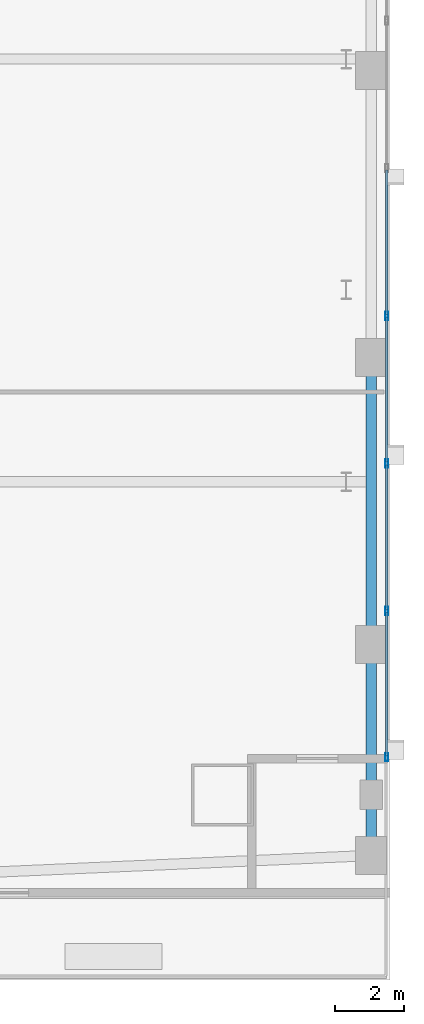
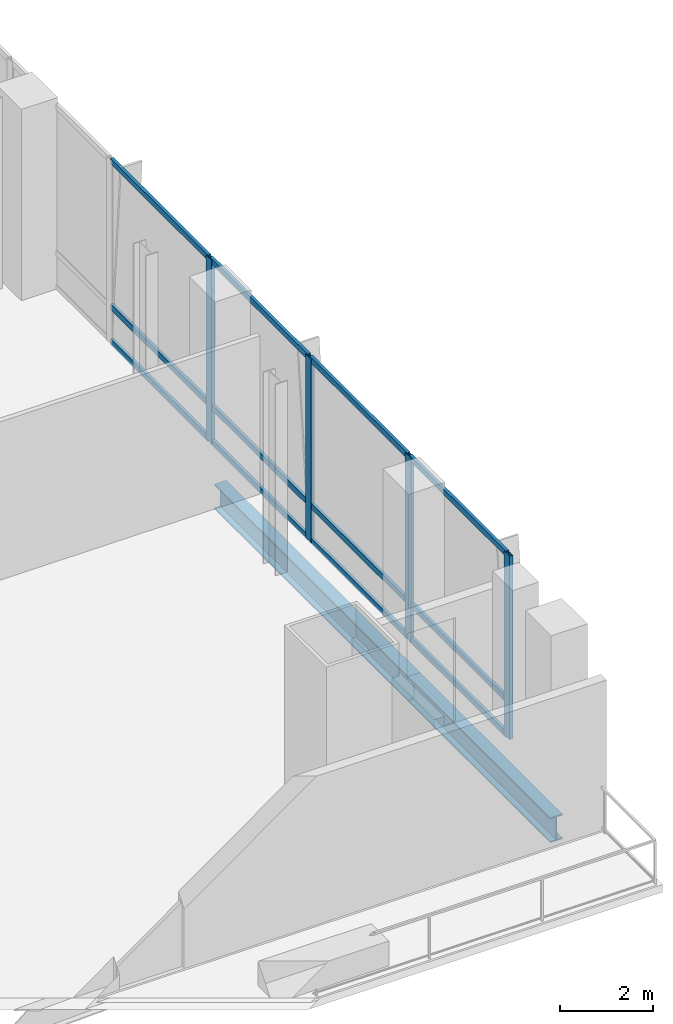
# One storey, part 15 of 26: 16 members, 2 beams, 1 element without a shape of its own.
"""IFC4 building model written with IfcOpenShell, lengths in metres."""

import ifcopenshell
import ifcopenshell.guid

model = None  # the IFC model being written
_history = None  # IfcOwnerHistory: only IFC2X3 demands one
_inside = {}  # id of a spatial element -> (the spatial element, [elements in it])
_under = {}  # id of a project, library or spatial element -> (it, [spatial elements below it])
_declared = {}  # id of a project -> (the project, [libraries it declares])
_typed = {}  # id of a type object -> (the type object, [elements of that type])
_made_of = {}  # id of a material, layer set ... -> (it, [elements and type objects made of it])


def new_model(schema):
    """Start an empty IFC model of exactly this schema.

    Asked for "IFC4X3", IfcOpenShell would pick the latest addendum, in which some entities
    have other attributes; the version numbers below select the first issue.
    IFC2X3 requires an IfcOwnerHistory on every rooted entity: one is made here for all.
    """
    global model, _history
    if schema == "IFC4X3":
        model = ifcopenshell.file(schema_version=(4, 3, 0, 0))
    else:
        model = ifcopenshell.file(schema=schema)
    _inside.clear()
    _under.clear()
    _declared.clear()
    _typed.clear()
    _made_of.clear()
    _history = None
    if model.schema == "IFC2X3":
        org = make("IfcOrganization", Name="unknown")
        user = make(
            "IfcPersonAndOrganization",
            ThePerson=make("IfcPerson", FamilyName="unknown"),
            TheOrganization=org,
        )
        app = make(
            "IfcApplication",
            ApplicationDeveloper=org,
            Version="unknown",
            ApplicationFullName="unknown",
            ApplicationIdentifier="unknown",
        )
        _history = make(
            "IfcOwnerHistory",
            OwningUser=user,
            OwningApplication=app,
            ChangeAction="ADDED",
            CreationDate=0,
        )
    return model


def make(cls, **values):
    """One entity of the class cls with the attributes given. An attribute that is None is left unset."""
    return model.create_entity(
        cls, **{name: value for name, value in values.items() if value is not None}
    )


def rooted(cls, **values):
    """An entity with a GlobalId (a new one), such as an element, a storey or a relation."""
    return make(cls, GlobalId=ifcopenshell.guid.new(), OwnerHistory=_history, **values)


def si_unit(unit_type, name, prefix=None):
    """IfcSIUnit, for example si_unit("LENGTHUNIT", "METRE", prefix="MILLI")."""
    return make("IfcSIUnit", UnitType=unit_type, Prefix=prefix, Name=name)


def assignment(units):
    """IfcUnitAssignment: the units of a project."""
    return None if units is None else make("IfcUnitAssignment", Units=units)


def point(xyz):
    """IfcCartesianPoint."""
    return None if xyz is None else make("IfcCartesianPoint", Coordinates=xyz)


def direction(xyz):
    """IfcDirection."""
    return None if xyz is None else make("IfcDirection", DirectionRatios=xyz)


def frame(location, z_axis=None, x_axis=None):
    """IfcAxis2Placement3D, a coordinate frame: its origin and axes. An axis left out is left unset."""
    return make(
        "IfcAxis2Placement3D",
        Location=point(location),
        Axis=direction(z_axis),
        RefDirection=direction(x_axis),
    )


def frame_2d(location, x_axis=None):
    """IfcAxis2Placement2D, a coordinate frame in the plane: its origin and x axis."""
    return make(
        "IfcAxis2Placement2D", Location=point(location), RefDirection=direction(x_axis)
    )


def origin():
    """The frame at (0, 0, 0) with its axes left unset."""
    return frame((0.0, 0.0, 0.0))


def origin_2d():
    """The frame at (0, 0) in the plane with its x axis left unset."""
    return frame_2d((0.0, 0.0))


def place(relative_to, where):
    """IfcLocalPlacement: puts the frame where relative to a parent placement (None: the world)."""
    return make(
        "IfcLocalPlacement", PlacementRelTo=relative_to, RelativePlacement=where
    )


def context(
    kind, dimensions, precision=None, world=None, true_north=None, identifier=None
):
    """IfcGeometricRepresentationContext, for example the 3D "Model" context."""
    return make(
        "IfcGeometricRepresentationContext",
        ContextIdentifier=identifier,
        ContextType=kind,
        CoordinateSpaceDimension=dimensions,
        Precision=precision,
        WorldCoordinateSystem=world,
        TrueNorth=true_north,
    )


def subcontext(parent, identifier, kind, view, scale=None):
    """IfcGeometricRepresentationSubContext, for example "Body" below "Model"."""
    return make(
        "IfcGeometricRepresentationSubContext",
        ContextIdentifier=identifier,
        ContextType=kind,
        ParentContext=parent,
        TargetScale=scale,
        TargetView=view,
    )


def project(units=None, contexts=None):
    """IfcProject with its units and contexts."""
    return rooted(
        "IfcProject",
        Name="project",
        RepresentationContexts=contexts,
        UnitsInContext=assignment(units),
    )


def spatial(cls, under=None, at=None, **own):
    """A site, building, storey or space (cls), placed at a placement, below another one or the project."""
    s = rooted(cls, ObjectPlacement=at, **own)
    if under is not None:
        _under.setdefault(under.id(), (under, []))[1].append(s)
    return s


def profile(cls, at=None, kind="AREA", **sizes):
    """A parametric profile (cls). Its sizes go by their IFC names, for example OverallWidth=200.0."""
    return make(cls, ProfileType=kind, Position=at, **sizes)


def hollow_rectangle(**sizes):
    """IfcRectangleHollowProfileDef."""
    return profile("IfcRectangleHollowProfileDef", **sizes)


def i_section(**sizes):
    """IfcIShapeProfileDef."""
    return profile("IfcIShapeProfileDef", **sizes)


def extrude(swept, where, along, depth):
    """IfcExtrudedAreaSolid: the profile swept, set in the frame where, extruded along a direction by depth."""
    return make(
        "IfcExtrudedAreaSolid",
        SweptArea=swept,
        Position=where,
        ExtrudedDirection=direction(along),
        Depth=depth,
    )


def shape(context_of_items, identifier, shape_type, items):
    """IfcShapeRepresentation: the items that make up one representation, for example the "Body"."""
    return make(
        "IfcShapeRepresentation",
        ContextOfItems=context_of_items,
        RepresentationIdentifier=identifier,
        RepresentationType=shape_type,
        Items=items,
    )


def material(Name=None, Category=None):
    """IfcMaterial."""
    return make("IfcMaterial", Name=Name, Category=Category)


def material_profile(
    of_material, cross_section, Name=None, Category=None, Priority=None
):
    """IfcMaterialProfile: a cross section and its material."""
    return make(
        "IfcMaterialProfile",
        Name=Name,
        Material=of_material,
        Profile=cross_section,
        Priority=Priority,
        Category=Category,
    )


def profile_set(profiles, Name=None, composite=None):
    """IfcMaterialProfileSet."""
    return make(
        "IfcMaterialProfileSet",
        Name=Name,
        MaterialProfiles=profiles,
        CompositeProfile=composite,
    )


def made_of(thing, what):
    """Note that an element or type object is made of a material, layer set ...; save() writes the relation."""
    if what is not None:
        _made_of.setdefault(what.id(), (what, []))[1].append(thing)
    return thing


def type_object(cls, material=None, **own):
    """A type object (cls), such as IfcWallType, which elements share."""
    return made_of(rooted(cls, **own), material)


def element(
    cls,
    number,
    at=None,
    inside=None,
    cuts=None,
    type_object=None,
    material=None,
    context=None,
    identifier="Body",
    shape_type=None,
    held_by="IfcProductDefinitionShape",
    body=None,
    shapes=None,
    **own,
):
    """One element of the class cls, such as IfcWall. Its Tag is "e" and its number.

    at: its placement. inside: the storey or other place that contains it. cuts: it is an
    opening in that element (IfcRelVoidsElement). A single representation is given by context,
    identifier, shape_type and body (its items); several are given by shapes. held_by: the class
    of the entity that holds the representations. save() writes the other relations.
    """
    e = rooted(cls, Tag="e%d" % number, ObjectPlacement=at, **own)
    if body is not None:
        shapes = [shape(context, identifier, shape_type, body)]
    if shapes is not None:
        e.Representation = make(held_by, Representations=shapes)
    if inside is not None:
        _inside.setdefault(inside.id(), (inside, []))[1].append(e)
    if cuts is not None:
        rooted(
            "IfcRelVoidsElement", RelatingBuildingElement=cuts, RelatedOpeningElement=e
        )
    if type_object is not None:
        _typed.setdefault(type_object.id(), (type_object, []))[1].append(e)
    return made_of(e, material)


def aggregate(whole, parts):
    """IfcRelAggregates: a whole, such as a stair, and the parts it consists of."""
    return rooted("IfcRelAggregates", RelatingObject=whole, RelatedObjects=parts)


def save(model, path):
    """Write the relations noted so far, then the file.

    IfcRelAggregates (storeys below a building ...), IfcRelContainedInSpatialStructure (elements
    in a storey), IfcRelDefinesByType, IfcRelAssociatesMaterial and IfcRelDeclares: one each for
    every whole, place, type object, material and project.
    """
    for whole, parts in _under.values():
        aggregate(whole, parts)
    for where, things in _inside.values():
        rooted(
            "IfcRelContainedInSpatialStructure",
            RelatedElements=things,
            RelatingStructure=where,
        )
    for kind, things in _typed.values():
        rooted("IfcRelDefinesByType", RelatedObjects=things, RelatingType=kind)
    for what, things in _made_of.values():
        rooted("IfcRelAssociatesMaterial", RelatedObjects=things, RelatingMaterial=what)
    for by, libraries in _declared.values():
        rooted("IfcRelDeclares", RelatingContext=by, RelatedDefinitions=libraries)
    model.write(path)


model = new_model("IFC4")

# Units and contexts
model_context = context("Model", 3, precision=1e-05, world=origin(), true_north=direction((0.0, 1.0)))
body_context = subcontext(model_context, "Body", "Model", "MODEL_VIEW")
ifc_project = project(units=[si_unit("LENGTHUNIT", "METRE"), si_unit("AREAUNIT", "SQUARE_METRE"), si_unit("VOLUMEUNIT", "CUBIC_METRE"), si_unit("PLANEANGLEUNIT", "RADIAN"), si_unit("MASSUNIT", "GRAM", prefix="KILO")], contexts=[model_context])

# Site, building, storey
site_placement = place(None, origin())
site = spatial("IfcSite", under=ifc_project, at=site_placement, CompositionType="ELEMENT")
building_placement = place(site_placement, origin())
building = spatial("IfcBuilding", under=site, at=building_placement, Name="Khoronbel Lancet Exchange", CompositionType="ELEMENT")
storey_placement = place(building_placement, frame((0.0, 0.0, 5.39990234375)))
storey = spatial("IfcBuildingStorey", under=building, at=storey_placement, Name="L01", CompositionType="ELEMENT", Elevation=5.39990234375)

# Beams
ifc_material_1 = material(Name="Steel S355", Category="steel")
ifc_material_profile_1 = material_profile(ifc_material_1, i_section(OverallWidth=0.300048828125, OverallDepth=0.64990234375, WebThickness=0.01611328125, FlangeThickness=0.031005859375, at=origin_2d()), Name="HEB 650")
ifc_profile_set_1 = profile_set([ifc_material_profile_1], Name="Steel S355")
beam_type = type_object("IfcBeamType", Name="BM-BSP1", PredefinedType="SPANDREL", material=ifc_profile_set_1)
beam_1_placement = place(storey_placement, frame((72.35009765625, 8.39990234375, -0.52490234375), z_axis=(0.0, 1.0, 0.0), x_axis=(-1.0, 0.0, 0.0)))
element("IfcBeam", 1, at=beam_1_placement, inside=storey, type_object=beam_type, Name="Level L01 perimeter spandrel beam SP08", PredefinedType="SPANDREL", context=body_context, shape_type="SweptSolid", body=[
    extrude(i_section(OverallWidth=0.300048828125, OverallDepth=0.64990234375, WebThickness=0.01611328125, FlangeThickness=0.031005859375, at=origin_2d()), origin(), (0.0, 0.0, 1.0), 6.10009765625),
])
beam_2_placement = place(storey_placement, frame((72.35009765625, 14.5, -0.52490234375), z_axis=(0.0, 1.0, 0.0), x_axis=(-1.0, 0.0, 0.0)))
element("IfcBeam", 2, at=beam_2_placement, inside=storey, type_object=beam_type, Name="Level L01 perimeter spandrel beam SP09", PredefinedType="SPANDREL", context=body_context, shape_type="SweptSolid", body=[
    extrude(i_section(OverallWidth=0.300048828125, OverallDepth=0.64990234375, WebThickness=0.01611328125, FlangeThickness=0.031005859375, at=origin_2d()), origin(), (0.0, 0.0, 1.0), 8.300048828125),
])

# Curtain wall, members
ifc_material_2 = material(Name="Low-E Solar Control Insulating Glass", Category="glass")
curtain_wall_type = type_object("IfcCurtainWallType", Name="CW-5", PredefinedType="NOTDEFINED", material=ifc_material_2)
curtain_wall_placement = place(storey_placement, origin())
curtain_wall = element("IfcCurtainWall", 3, at=curtain_wall_placement, inside=storey, type_object=curtain_wall_type, Name="Unitised curtain wall CW-L01-EAST", PredefinedType="NOTDEFINED")
ifc_material_3 = material(Name="Bronze-Anodised Aluminium 6063-T6", Category="aluminium")
ifc_material_profile_2 = material_profile(ifc_material_3, hollow_rectangle(XDim=0.0849609375, YDim=0.239990234375, WallThickness=0.006103515625, at=origin_2d()), Name="ALU MULLION 85x240")
ifc_profile_set_2 = profile_set([ifc_material_profile_2], Name="Bronze-Anodised Aluminium 6063-T6")
member_type_1 = type_object("IfcMemberType", Name="MEM-CWM1", PredefinedType="MULLION", material=ifc_profile_set_2)
member_1_placement = place(storey_placement, frame((72.800048828125, 11.242431640625, 0.0), z_axis=(0.0, 0.0, 1.0), x_axis=(-1.0, 0.0, 0.0)))
member_1 = element("IfcMember", 4, at=member_1_placement, type_object=member_type_1, Name="CW5 mullion 1", PredefinedType="MULLION", context=body_context, shape_type="SweptSolid", body=[
    extrude(hollow_rectangle(XDim=0.0849609375, YDim=0.239990234375, WallThickness=0.006103515625, at=origin_2d()), origin(), (0.0, 0.0, 1.0), 4.800048828125),
])
member_2_placement = place(storey_placement, frame((72.800048828125, 15.466552734375, 0.0), z_axis=(0.0, 0.0, 1.0), x_axis=(-1.0, 0.0, 0.0)))
member_2 = element("IfcMember", 5, at=member_2_placement, type_object=member_type_1, Name="CW5 mullion 2", PredefinedType="MULLION", context=body_context, shape_type="SweptSolid", body=[
    extrude(hollow_rectangle(XDim=0.0849609375, YDim=0.239990234375, WallThickness=0.006103515625, at=origin_2d()), origin(), (0.0, 0.0, 1.0), 4.800048828125),
])
member_3_placement = place(storey_placement, frame((72.800048828125, 19.7333984375, 0.0), z_axis=(0.0, 0.0, 1.0), x_axis=(-1.0, 0.0, 0.0)))
member_3 = element("IfcMember", 6, at=member_3_placement, type_object=member_type_1, Name="CW5 mullion 3", PredefinedType="MULLION", context=body_context, shape_type="SweptSolid", body=[
    extrude(hollow_rectangle(XDim=0.0849609375, YDim=0.239990234375, WallThickness=0.006103515625, at=origin_2d()), origin(), (0.0, 0.0, 1.0), 4.800048828125),
])
member_4_placement = place(storey_placement, frame((72.800048828125, 24.0, 0.0), z_axis=(0.0, 0.0, 1.0), x_axis=(-1.0, 0.0, 0.0)))
member_4 = element("IfcMember", 7, at=member_4_placement, type_object=member_type_1, Name="CW5 mullion 4", PredefinedType="MULLION", context=body_context, shape_type="SweptSolid", body=[
    extrude(hollow_rectangle(XDim=0.0849609375, YDim=0.239990234375, WallThickness=0.006103515625, at=origin_2d()), origin(), (0.0, 0.0, 1.0), 4.800048828125),
])
ifc_material_profile_3 = material_profile(ifc_material_3, hollow_rectangle(XDim=0.074951171875, YDim=0.14990234375, WallThickness=0.00439453125, at=origin_2d()), Name="ALU TRANSOM 75x150")
ifc_profile_set_3 = profile_set([ifc_material_profile_3], Name="Bronze-Anodised Aluminium 6063-T6")
member_type_2 = type_object("IfcMemberType", Name="MEM-CWT2", PredefinedType="USERDEFINED", material=ifc_profile_set_3)
member_5_placement = place(storey_placement, frame((72.800048828125, 11.284912109375, 0.03759765625), z_axis=(0.0, 1.0, 0.0), x_axis=(-1.0, 0.0, 0.0)))
member_5 = element("IfcMember", 8, at=member_5_placement, type_object=member_type_2, Name="CW5 transom 1.1", ObjectType="TRANSOM", PredefinedType="USERDEFINED", context=body_context, shape_type="SweptSolid", body=[
    extrude(hollow_rectangle(XDim=0.074951171875, YDim=0.14990234375, WallThickness=0.00439453125, at=origin_2d()), origin(), (0.0, 0.0, 1.0), 4.13916015625),
])
member_6_placement = place(storey_placement, frame((72.800048828125, 11.284912109375, 0.9501953125), z_axis=(0.0, 1.0, 0.0), x_axis=(-1.0, 0.0, 0.0)))
member_6 = element("IfcMember", 9, at=member_6_placement, type_object=member_type_2, Name="CW5 transom 1.2", ObjectType="TRANSOM", PredefinedType="USERDEFINED", context=body_context, shape_type="SweptSolid", body=[
    extrude(hollow_rectangle(XDim=0.074951171875, YDim=0.14990234375, WallThickness=0.00439453125, at=origin_2d()), origin(), (0.0, 0.0, 1.0), 4.13916015625),
])
member_7_placement = place(storey_placement, frame((72.800048828125, 11.284912109375, 4.7626953125), z_axis=(0.0, 1.0, 0.0), x_axis=(-1.0, 0.0, 0.0)))
member_7 = element("IfcMember", 10, at=member_7_placement, type_object=member_type_2, Name="CW5 transom 1.3", ObjectType="TRANSOM", PredefinedType="USERDEFINED", context=body_context, shape_type="SweptSolid", body=[
    extrude(hollow_rectangle(XDim=0.074951171875, YDim=0.14990234375, WallThickness=0.00439453125, at=origin_2d()), origin(), (0.0, 0.0, 1.0), 4.13916015625),
])
member_8_placement = place(storey_placement, frame((72.800048828125, 15.50927734375, 0.03759765625), z_axis=(0.0, 1.0, 0.0), x_axis=(-1.0, 0.0, 0.0)))
member_8 = element("IfcMember", 11, at=member_8_placement, type_object=member_type_2, Name="CW5 transom 2.1", ObjectType="TRANSOM", PredefinedType="USERDEFINED", context=body_context, shape_type="SweptSolid", body=[
    extrude(hollow_rectangle(XDim=0.074951171875, YDim=0.14990234375, WallThickness=0.00439453125, at=origin_2d()), origin(), (0.0, 0.0, 1.0), 4.181640625),
])
member_9_placement = place(storey_placement, frame((72.800048828125, 15.50927734375, 0.9501953125), z_axis=(0.0, 1.0, 0.0), x_axis=(-1.0, 0.0, 0.0)))
member_9 = element("IfcMember", 12, at=member_9_placement, type_object=member_type_2, Name="CW5 transom 2.2", ObjectType="TRANSOM", PredefinedType="USERDEFINED", context=body_context, shape_type="SweptSolid", body=[
    extrude(hollow_rectangle(XDim=0.074951171875, YDim=0.14990234375, WallThickness=0.00439453125, at=origin_2d()), origin(), (0.0, 0.0, 1.0), 4.181640625),
])
member_10_placement = place(storey_placement, frame((72.800048828125, 15.50927734375, 4.7626953125), z_axis=(0.0, 1.0, 0.0), x_axis=(-1.0, 0.0, 0.0)))
member_10 = element("IfcMember", 13, at=member_10_placement, type_object=member_type_2, Name="CW5 transom 2.3", ObjectType="TRANSOM", PredefinedType="USERDEFINED", context=body_context, shape_type="SweptSolid", body=[
    extrude(hollow_rectangle(XDim=0.074951171875, YDim=0.14990234375, WallThickness=0.00439453125, at=origin_2d()), origin(), (0.0, 0.0, 1.0), 4.181640625),
])
member_11_placement = place(storey_placement, frame((72.800048828125, 19.77587890625, 0.03759765625), z_axis=(0.0, 1.0, 0.0), x_axis=(-1.0, 0.0, 0.0)))
member_11 = element("IfcMember", 14, at=member_11_placement, type_object=member_type_2, Name="CW5 transom 3.1", ObjectType="TRANSOM", PredefinedType="USERDEFINED", context=body_context, shape_type="SweptSolid", body=[
    extrude(hollow_rectangle(XDim=0.074951171875, YDim=0.14990234375, WallThickness=0.00439453125, at=origin_2d()), origin(), (0.0, 0.0, 1.0), 4.181640625),
])
member_12_placement = place(storey_placement, frame((72.800048828125, 19.77587890625, 0.9501953125), z_axis=(0.0, 1.0, 0.0), x_axis=(-1.0, 0.0, 0.0)))
member_12 = element("IfcMember", 15, at=member_12_placement, type_object=member_type_2, Name="CW5 transom 3.2", ObjectType="TRANSOM", PredefinedType="USERDEFINED", context=body_context, shape_type="SweptSolid", body=[
    extrude(hollow_rectangle(XDim=0.074951171875, YDim=0.14990234375, WallThickness=0.00439453125, at=origin_2d()), origin(), (0.0, 0.0, 1.0), 4.181640625),
])
member_13_placement = place(storey_placement, frame((72.800048828125, 19.77587890625, 4.7626953125), z_axis=(0.0, 1.0, 0.0), x_axis=(-1.0, 0.0, 0.0)))
member_13 = element("IfcMember", 16, at=member_13_placement, type_object=member_type_2, Name="CW5 transom 3.3", ObjectType="TRANSOM", PredefinedType="USERDEFINED", context=body_context, shape_type="SweptSolid", body=[
    extrude(hollow_rectangle(XDim=0.074951171875, YDim=0.14990234375, WallThickness=0.00439453125, at=origin_2d()), origin(), (0.0, 0.0, 1.0), 4.181640625),
])
member_14_placement = place(storey_placement, frame((72.800048828125, 24.04248046875, 0.03759765625), z_axis=(0.0, 1.0, 0.0), x_axis=(-1.0, 0.0, 0.0)))
member_14 = element("IfcMember", 17, at=member_14_placement, type_object=member_type_2, Name="CW5 transom 4.1", ObjectType="TRANSOM", PredefinedType="USERDEFINED", context=body_context, shape_type="SweptSolid", body=[
    extrude(hollow_rectangle(XDim=0.074951171875, YDim=0.14990234375, WallThickness=0.00439453125, at=origin_2d()), origin(), (0.0, 0.0, 1.0), 4.181640625),
])
member_15_placement = place(storey_placement, frame((72.800048828125, 24.04248046875, 0.9501953125), z_axis=(0.0, 1.0, 0.0), x_axis=(-1.0, 0.0, 0.0)))
member_15 = element("IfcMember", 18, at=member_15_placement, type_object=member_type_2, Name="CW5 transom 4.2", ObjectType="TRANSOM", PredefinedType="USERDEFINED", context=body_context, shape_type="SweptSolid", body=[
    extrude(hollow_rectangle(XDim=0.074951171875, YDim=0.14990234375, WallThickness=0.00439453125, at=origin_2d()), origin(), (0.0, 0.0, 1.0), 4.181640625),
])
member_16_placement = place(storey_placement, frame((72.800048828125, 24.04248046875, 4.7626953125), z_axis=(0.0, 1.0, 0.0), x_axis=(-1.0, 0.0, 0.0)))
member_16 = element("IfcMember", 19, at=member_16_placement, type_object=member_type_2, Name="CW5 transom 4.3", ObjectType="TRANSOM", PredefinedType="USERDEFINED", context=body_context, shape_type="SweptSolid", body=[
    extrude(hollow_rectangle(XDim=0.074951171875, YDim=0.14990234375, WallThickness=0.00439453125, at=origin_2d()), origin(), (0.0, 0.0, 1.0), 4.181640625),
])
aggregate(curtain_wall, [member_1, member_2, member_3, member_4, member_5, member_6, member_7, member_8, member_9, member_10, member_11, member_12, member_13, member_14, member_15, member_16])

save(model, "model.ifc")
